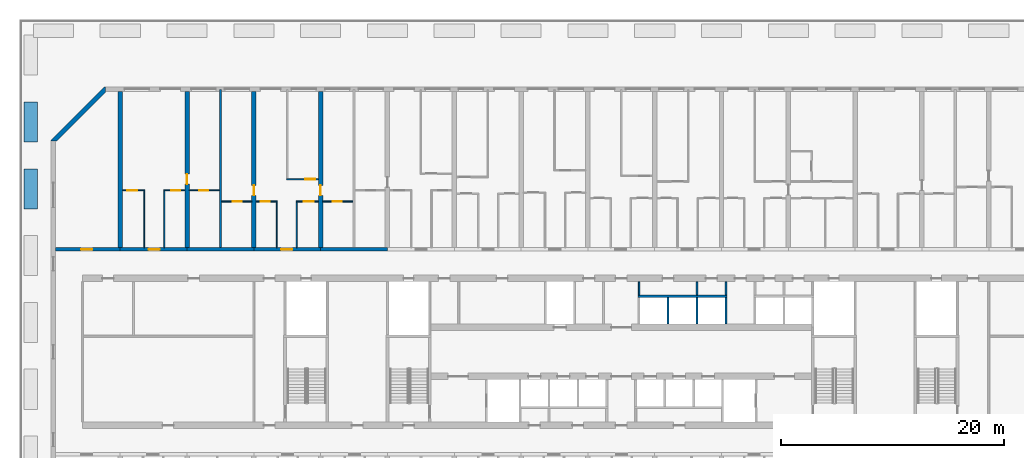
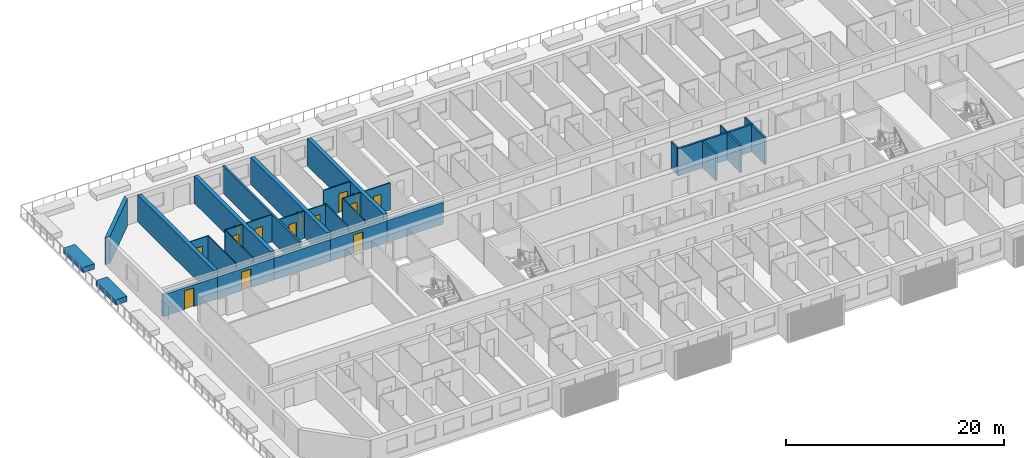
# One storey, part 11 of 23: 32 walls, 14 doors, 14 openings.
"""IFC4 building model written with IfcOpenShell, lengths in metres."""

import ifcopenshell
import ifcopenshell.guid

model = None  # the IFC model being written
_history = None  # IfcOwnerHistory: only IFC2X3 demands one
_inside = {}  # id of a spatial element -> (the spatial element, [elements in it])
_under = {}  # id of a project, library or spatial element -> (it, [spatial elements below it])
_declared = {}  # id of a project -> (the project, [libraries it declares])
_typed = {}  # id of a type object -> (the type object, [elements of that type])
_made_of = {}  # id of a material, layer set ... -> (it, [elements and type objects made of it])


def new_model(schema):
    """Start an empty IFC model of exactly this schema.

    Asked for "IFC4X3", IfcOpenShell would pick the latest addendum, in which some entities
    have other attributes; the version numbers below select the first issue.
    IFC2X3 requires an IfcOwnerHistory on every rooted entity: one is made here for all.
    """
    global model, _history
    if schema == "IFC4X3":
        model = ifcopenshell.file(schema_version=(4, 3, 0, 0))
    else:
        model = ifcopenshell.file(schema=schema)
    _inside.clear()
    _under.clear()
    _declared.clear()
    _typed.clear()
    _made_of.clear()
    _history = None
    if model.schema == "IFC2X3":
        org = make("IfcOrganization", Name="unknown")
        user = make(
            "IfcPersonAndOrganization",
            ThePerson=make("IfcPerson", FamilyName="unknown"),
            TheOrganization=org,
        )
        app = make(
            "IfcApplication",
            ApplicationDeveloper=org,
            Version="unknown",
            ApplicationFullName="unknown",
            ApplicationIdentifier="unknown",
        )
        _history = make(
            "IfcOwnerHistory",
            OwningUser=user,
            OwningApplication=app,
            ChangeAction="ADDED",
            CreationDate=0,
        )
    return model


def make(cls, **values):
    """One entity of the class cls with the attributes given. An attribute that is None is left unset."""
    return model.create_entity(
        cls, **{name: value for name, value in values.items() if value is not None}
    )


def rooted(cls, **values):
    """An entity with a GlobalId (a new one), such as an element, a storey or a relation."""
    return make(cls, GlobalId=ifcopenshell.guid.new(), OwnerHistory=_history, **values)


def si_unit(unit_type, name, prefix=None):
    """IfcSIUnit, for example si_unit("LENGTHUNIT", "METRE", prefix="MILLI")."""
    return make("IfcSIUnit", UnitType=unit_type, Prefix=prefix, Name=name)


def assignment(units):
    """IfcUnitAssignment: the units of a project."""
    return None if units is None else make("IfcUnitAssignment", Units=units)


def point(xyz):
    """IfcCartesianPoint."""
    return None if xyz is None else make("IfcCartesianPoint", Coordinates=xyz)


def direction(xyz):
    """IfcDirection."""
    return None if xyz is None else make("IfcDirection", DirectionRatios=xyz)


def frame(location, z_axis=None, x_axis=None):
    """IfcAxis2Placement3D, a coordinate frame: its origin and axes. An axis left out is left unset."""
    return make(
        "IfcAxis2Placement3D",
        Location=point(location),
        Axis=direction(z_axis),
        RefDirection=direction(x_axis),
    )


def frame_2d(location, x_axis=None):
    """IfcAxis2Placement2D, a coordinate frame in the plane: its origin and x axis."""
    return make(
        "IfcAxis2Placement2D", Location=point(location), RefDirection=direction(x_axis)
    )


def origin():
    """The frame at (0, 0, 0) with its axes left unset."""
    return frame((0.0, 0.0, 0.0))


def place(relative_to, where):
    """IfcLocalPlacement: puts the frame where relative to a parent placement (None: the world)."""
    return make(
        "IfcLocalPlacement", PlacementRelTo=relative_to, RelativePlacement=where
    )


def context(
    kind, dimensions, precision=None, world=None, true_north=None, identifier=None
):
    """IfcGeometricRepresentationContext, for example the 3D "Model" context."""
    return make(
        "IfcGeometricRepresentationContext",
        ContextIdentifier=identifier,
        ContextType=kind,
        CoordinateSpaceDimension=dimensions,
        Precision=precision,
        WorldCoordinateSystem=world,
        TrueNorth=true_north,
    )


def subcontext(parent, identifier, kind, view, scale=None):
    """IfcGeometricRepresentationSubContext, for example "Body" below "Model"."""
    return make(
        "IfcGeometricRepresentationSubContext",
        ContextIdentifier=identifier,
        ContextType=kind,
        ParentContext=parent,
        TargetScale=scale,
        TargetView=view,
    )


def project(units=None, contexts=None):
    """IfcProject with its units and contexts."""
    return rooted(
        "IfcProject",
        Name="project",
        RepresentationContexts=contexts,
        UnitsInContext=assignment(units),
    )


def spatial(cls, under=None, at=None, **own):
    """A site, building, storey or space (cls), placed at a placement, below another one or the project."""
    s = rooted(cls, ObjectPlacement=at, **own)
    if under is not None:
        _under.setdefault(under.id(), (under, []))[1].append(s)
    return s


def polyline(points):
    """IfcPolyline through the points."""
    return make("IfcPolyline", Points=[point(p) for p in points])


def profile(cls, at=None, kind="AREA", **sizes):
    """A parametric profile (cls). Its sizes go by their IFC names, for example OverallWidth=200.0."""
    return make(cls, ProfileType=kind, Position=at, **sizes)


def rectangle(**sizes):
    """IfcRectangleProfileDef."""
    return profile("IfcRectangleProfileDef", **sizes)


def outline(outer, holes=None, kind="AREA"):
    """IfcArbitraryClosedProfileDef: a profile drawn as a closed curve; with holes, ...WithVoids."""
    if holes is None:
        return make("IfcArbitraryClosedProfileDef", ProfileType=kind, OuterCurve=outer)
    return make(
        "IfcArbitraryProfileDefWithVoids",
        ProfileType=kind,
        OuterCurve=outer,
        InnerCurves=holes,
    )


def extrude(swept, where, along, depth):
    """IfcExtrudedAreaSolid: the profile swept, set in the frame where, extruded along a direction by depth."""
    return make(
        "IfcExtrudedAreaSolid",
        SweptArea=swept,
        Position=where,
        ExtrudedDirection=direction(along),
        Depth=depth,
    )


def shape(context_of_items, identifier, shape_type, items):
    """IfcShapeRepresentation: the items that make up one representation, for example the "Body"."""
    return make(
        "IfcShapeRepresentation",
        ContextOfItems=context_of_items,
        RepresentationIdentifier=identifier,
        RepresentationType=shape_type,
        Items=items,
    )


def source(mapping_origin, context_of_items, identifier, shape_type, items):
    """IfcRepresentationMap: a shape defined once, which mapped items show again and again."""
    return make(
        "IfcRepresentationMap",
        MappingOrigin=mapping_origin,
        MappedRepresentation=shape(context_of_items, identifier, shape_type, items),
    )


def transform(
    local_origin,
    x_axis=None,
    y_axis=None,
    z_axis=None,
    scale=None,
    scale2=None,
    scale3=None,
    uniform=True,
):
    """IfcCartesianTransformationOperator3D, or its non-uniform kind. x_axis, y_axis, z_axis: its Axis1, 2, 3."""
    if uniform:
        return make(
            "IfcCartesianTransformationOperator3D",
            Axis1=direction(x_axis),
            Axis2=direction(y_axis),
            LocalOrigin=point(local_origin),
            Scale=scale,
            Axis3=direction(z_axis),
        )
    return make(
        "IfcCartesianTransformationOperator3DnonUniform",
        Axis1=direction(x_axis),
        Axis2=direction(y_axis),
        LocalOrigin=point(local_origin),
        Scale=scale,
        Axis3=direction(z_axis),
        Scale2=scale2,
        Scale3=scale3,
    )


def mapped(mapping_source, mapping_target):
    """IfcMappedItem: shows the shape of a source again, moved by a transform."""
    return make(
        "IfcMappedItem", MappingSource=mapping_source, MappingTarget=mapping_target
    )


def material(Name=None, Category=None):
    """IfcMaterial."""
    return make("IfcMaterial", Name=Name, Category=Category)


def layer(
    of_material, thickness, ventilated=None, Name=None, Category=None, Priority=None
):
    """IfcMaterialLayer: one layer of a wall or slab, of a material (None: an air gap)."""
    return make(
        "IfcMaterialLayer",
        Material=of_material,
        LayerThickness=thickness,
        IsVentilated=ventilated,
        Name=Name,
        Category=Category,
        Priority=Priority,
    )


def layer_set(layers, Name=None):
    """IfcMaterialLayerSet."""
    return make("IfcMaterialLayerSet", MaterialLayers=layers, LayerSetName=Name)


def made_of(thing, what):
    """Note that an element or type object is made of a material, layer set ...; save() writes the relation."""
    if what is not None:
        _made_of.setdefault(what.id(), (what, []))[1].append(thing)
    return thing


def type_object(cls, material=None, **own):
    """A type object (cls), such as IfcWallType, which elements share."""
    return made_of(rooted(cls, **own), material)


def element(
    cls,
    number,
    at=None,
    inside=None,
    cuts=None,
    type_object=None,
    material=None,
    context=None,
    identifier="Body",
    shape_type=None,
    held_by="IfcProductDefinitionShape",
    body=None,
    shapes=None,
    **own,
):
    """One element of the class cls, such as IfcWall. Its Tag is "e" and its number.

    at: its placement. inside: the storey or other place that contains it. cuts: it is an
    opening in that element (IfcRelVoidsElement). A single representation is given by context,
    identifier, shape_type and body (its items); several are given by shapes. held_by: the class
    of the entity that holds the representations. save() writes the other relations.
    """
    e = rooted(cls, Tag="e%d" % number, ObjectPlacement=at, **own)
    if body is not None:
        shapes = [shape(context, identifier, shape_type, body)]
    if shapes is not None:
        e.Representation = make(held_by, Representations=shapes)
    if inside is not None:
        _inside.setdefault(inside.id(), (inside, []))[1].append(e)
    if cuts is not None:
        rooted(
            "IfcRelVoidsElement", RelatingBuildingElement=cuts, RelatedOpeningElement=e
        )
    if type_object is not None:
        _typed.setdefault(type_object.id(), (type_object, []))[1].append(e)
    return made_of(e, material)


def fill(opening, filler):
    """IfcRelFillsElement: the door or window that sits in an opening."""
    return rooted(
        "IfcRelFillsElement",
        RelatingOpeningElement=opening,
        RelatedBuildingElement=filler,
    )


def aggregate(whole, parts):
    """IfcRelAggregates: a whole, such as a stair, and the parts it consists of."""
    return rooted("IfcRelAggregates", RelatingObject=whole, RelatedObjects=parts)


def save(model, path):
    """Write the relations noted so far, then the file.

    IfcRelAggregates (storeys below a building ...), IfcRelContainedInSpatialStructure (elements
    in a storey), IfcRelDefinesByType, IfcRelAssociatesMaterial and IfcRelDeclares: one each for
    every whole, place, type object, material and project.
    """
    for whole, parts in _under.values():
        aggregate(whole, parts)
    for where, things in _inside.values():
        rooted(
            "IfcRelContainedInSpatialStructure",
            RelatedElements=things,
            RelatingStructure=where,
        )
    for kind, things in _typed.values():
        rooted("IfcRelDefinesByType", RelatedObjects=things, RelatingType=kind)
    for what, things in _made_of.values():
        rooted("IfcRelAssociatesMaterial", RelatedObjects=things, RelatingMaterial=what)
    for by, libraries in _declared.values():
        rooted("IfcRelDeclares", RelatingContext=by, RelatedDefinitions=libraries)
    model.write(path)


model = new_model("IFC4")

# Units and contexts
model_context = context("Model", 3, precision=1e-05, world=origin(), true_north=direction((0.0, 1.0)))
body_context = subcontext(model_context, "Body", "Model", "MODEL_VIEW")
ifc_project = project(units=[si_unit("LENGTHUNIT", "METRE"), si_unit("AREAUNIT", "SQUARE_METRE"), si_unit("VOLUMEUNIT", "CUBIC_METRE"), si_unit("PLANEANGLEUNIT", "RADIAN"), si_unit("MASSUNIT", "GRAM", prefix="KILO")], contexts=[model_context])

# Site, building, storey
site_placement = place(None, origin())
site = spatial("IfcSite", under=ifc_project, at=site_placement, CompositionType="ELEMENT")
building_placement = place(site_placement, origin())
building = spatial("IfcBuilding", under=site, at=building_placement, Name="Poui Terraces", CompositionType="ELEMENT")
storey_placement = place(building_placement, frame((0.0, 0.0, 23.39990234375)))
storey = spatial("IfcBuildingStorey", under=building, at=storey_placement, Name="L05", CompositionType="ELEMENT", Elevation=23.39990234375)

# Wall
ifc_material_1 = material(Name="Fire-rated plasterboard wall")
ifc_layer_1 = layer(ifc_material_1, 0.14990234375)
ifc_layer_set_1 = layer_set([ifc_layer_1], Name="Fire-rated plasterboard wall")
wall_type_1 = type_object("IfcWallType", Name="CORRIDOR WALL 150", PredefinedType="PARTITIONING", material=ifc_layer_set_1)
wall_1_placement = place(storey_placement, frame((52.60009765625, 26.300048828125, 0.0), z_axis=(0.0, 0.0, 1.0), x_axis=(0.0, 1.0, 0.0)))
element("IfcWall", 1, at=wall_1_placement, inside=storey, type_object=wall_type_1, Name="CORRIDOR WALL 150", PredefinedType="PARTITIONING", context=body_context, shape_type="SweptSolid", body=[
    extrude(rectangle(XDim=1.18994140625, YDim=0.14990234375, at=frame_2d((0.594970703125, 0.0))), origin(), (0.0, 0.0, 1.0), 3.050048828125),
])

# Wall, opening, door
ifc_material_2 = material(Name="Concrete 80 MPa", Category="concrete")
ifc_layer_2 = layer(ifc_material_2, 0.300048828125)
ifc_layer_set_2 = layer_set([ifc_layer_2], Name="Concrete 80 MPa")
wall_type_2 = type_object("IfcWallType", Name="CORRIDOR WALL 300 80MPa", PredefinedType="SHEAR", material=ifc_layer_set_2)
wall_2_placement = place(storey_placement, frame((0.199951171875, 30.39990234375, 0.0), z_axis=(0.0, 0.0, 1.0), x_axis=(1.0, 0.0, 0.0)))
wall_2 = element("IfcWall", 2, at=wall_2_placement, inside=storey, type_object=wall_type_2, Name="CORRIDOR WALL LINE E BAY 1", PredefinedType="SHEAR", context=body_context, shape_type="SweptSolid", body=[
    extrude(rectangle(XDim=5.800048828125, YDim=0.300048828125, at=frame_2d((2.89990234375, 0.0))), origin(), (0.0, 0.0, 1.0), 2.4501953125),
])
opening_1_placement = place(wall_2_placement, frame((2.300048828125, 0.0, 0.0)))
opening_1 = element("IfcOpeningElement", 3, at=opening_1_placement, cuts=wall_2, Name="Opening D100", PredefinedType="OPENING", context=body_context, shape_type="SweptSolid", body=[
    extrude(rectangle(XDim=1.0, YDim=2.10009765625, at=frame_2d((0.5, 1.050048828125))), frame((0.0, 0.16015625, 0.0), z_axis=(0.0, -1.0, 0.0), x_axis=(1.0, 0.0, 0.0)), (0.0, 0.0, 1.0), 0.320068359375),
])
ifc_material_3 = material(Name="Solid core timber door", Category="wood")
door_type_1 = type_object("IfcDoorType", Name="ACCESSIBLE INTERNAL DOOR 1000 X 2100", OperationType="NOTDEFINED", PredefinedType="DOOR", material=ifc_material_3)
door_1_placement = place(opening_1_placement, origin())
door_1 = element("IfcDoor", 4, at=door_1_placement, inside=storey, type_object=door_type_1, Name="ACCESSIBLE INTERNAL DOOR 032", OperationType="SINGLE_SWING_LEFT", OverallHeight=2.10009765625, OverallWidth=1.0, PredefinedType="DOOR", context=body_context, shape_type="SweptSolid", body=[
    extrude(rectangle(XDim=1.0, YDim=2.10009765625, at=frame_2d((0.5, 1.050048828125))), frame((0.0, 0.02490234375, 0.0), z_axis=(0.0, -1.0, 0.0), x_axis=(1.0, 0.0, 0.0)), (0.0, 0.0, 1.0), 0.050048828125),
])
fill(opening_1, door_1)

wall_3_placement = place(storey_placement, frame((6.0, 30.39990234375, 0.0), z_axis=(0.0, 0.0, 1.0), x_axis=(1.0, 0.0, 0.0)))
wall_3 = element("IfcWall", 5, at=wall_3_placement, inside=storey, type_object=wall_type_2, Name="CORRIDOR WALL LINE E BAY 2", PredefinedType="SHEAR", context=body_context, shape_type="SweptSolid", body=[
    extrude(rectangle(XDim=6.0, YDim=0.300048828125, at=frame_2d((3.0, 0.0))), origin(), (0.0, 0.0, 1.0), 2.4501953125),
])
opening_2_placement = place(wall_3_placement, frame((2.550048828125, 0.0, 0.0)))
opening_2 = element("IfcOpeningElement", 6, at=opening_2_placement, cuts=wall_3, Name="Opening FD30S", PredefinedType="OPENING", context=body_context, shape_type="SweptSolid", body=[
    extrude(rectangle(XDim=1.0, YDim=2.10009765625, at=frame_2d((0.5, 1.050048828125))), frame((0.0, 0.16015625, 0.0), z_axis=(0.0, -1.0, 0.0), x_axis=(1.0, 0.0, 0.0)), (0.0, 0.0, 1.0), 0.320068359375),
])
ifc_material_4 = material(Name="Steel fire door", Category="steel")
door_type_2 = type_object("IfcDoorType", Name="FLAT ENTRANCE DOOR 1000 X 2100", OperationType="NOTDEFINED", PredefinedType="DOOR", material=ifc_material_4)
door_2_placement = place(opening_2_placement, origin())
door_2 = element("IfcDoor", 7, at=door_2_placement, inside=storey, type_object=door_type_2, Name="FLAT ENTRANCE DOOR 035", OperationType="SINGLE_SWING_RIGHT", OverallHeight=2.10009765625, OverallWidth=1.0, PredefinedType="DOOR", context=body_context, shape_type="SweptSolid", body=[
    extrude(rectangle(XDim=1.0, YDim=2.10009765625, at=frame_2d((0.5, 1.050048828125))), frame((0.0, 0.02490234375, 0.0), z_axis=(0.0, -1.0, 0.0), x_axis=(1.0, 0.0, 0.0)), (0.0, 0.0, 1.0), 0.050048828125),
])
fill(opening_2, door_2)

# Wall
wall_4_placement = place(storey_placement, frame((12.0, 30.39990234375, 0.0), z_axis=(0.0, 0.0, 1.0), x_axis=(1.0, 0.0, 0.0)))
element("IfcWall", 8, at=wall_4_placement, inside=storey, type_object=wall_type_2, Name="CORRIDOR WALL LINE E BAY 3", PredefinedType="SHEAR", context=body_context, shape_type="SweptSolid", body=[
    extrude(rectangle(XDim=6.0, YDim=0.300048828125, at=frame_2d((3.0, 0.0))), origin(), (0.0, 0.0, 1.0), 2.4501953125),
])

# Wall, opening, door
wall_5_placement = place(storey_placement, frame((18.0, 30.39990234375, 0.0), z_axis=(0.0, 0.0, 1.0), x_axis=(1.0, 0.0, 0.0)))
wall_5 = element("IfcWall", 9, at=wall_5_placement, inside=storey, type_object=wall_type_2, Name="CORRIDOR WALL LINE E BAY 4", PredefinedType="SHEAR", context=body_context, shape_type="SweptSolid", body=[
    extrude(rectangle(XDim=6.0, YDim=0.300048828125, at=frame_2d((3.0, 0.0))), origin(), (0.0, 0.0, 1.0), 2.4501953125),
])
opening_3_placement = place(wall_5_placement, frame((2.449951171875, 0.0, 0.0)))
opening_3 = element("IfcOpeningElement", 10, at=opening_3_placement, cuts=wall_5, Name="Opening FD30S", PredefinedType="OPENING", context=body_context, shape_type="SweptSolid", body=[
    extrude(rectangle(XDim=1.0, YDim=2.10009765625, at=frame_2d((0.5, 1.050048828125))), frame((0.0, 0.16015625, 0.0), z_axis=(0.0, -1.0, 0.0), x_axis=(1.0, 0.0, 0.0)), (0.0, 0.0, 1.0), 0.320068359375),
])
door_3_placement = place(opening_3_placement, origin())
door_3 = element("IfcDoor", 11, at=door_3_placement, inside=storey, type_object=door_type_2, Name="FLAT ENTRANCE DOOR 042", OperationType="SINGLE_SWING_LEFT", OverallHeight=2.10009765625, OverallWidth=1.0, PredefinedType="DOOR", context=body_context, shape_type="SweptSolid", body=[
    extrude(rectangle(XDim=1.0, YDim=2.10009765625, at=frame_2d((0.5, 1.050048828125))), frame((0.0, 0.02490234375, 0.0), z_axis=(0.0, -1.0, 0.0), x_axis=(1.0, 0.0, 0.0)), (0.0, 0.0, 1.0), 0.050048828125),
])
fill(opening_3, door_3)

# Walls
wall_6_placement = place(storey_placement, frame((24.0, 30.39990234375, 0.0), z_axis=(0.0, 0.0, 1.0), x_axis=(1.0, 0.0, 0.0)))
element("IfcWall", 12, at=wall_6_placement, inside=storey, type_object=wall_type_2, Name="CORRIDOR WALL LINE E BAY 5", PredefinedType="SHEAR", context=body_context, shape_type="SweptSolid", body=[
    extrude(rectangle(XDim=6.0, YDim=0.300048828125, at=frame_2d((3.0, 0.0))), origin(), (0.0, 0.0, 1.0), 2.4501953125),
])
ifc_layer_3 = layer(ifc_material_2, 0.39990234375)
ifc_layer_set_3 = layer_set([ifc_layer_3], Name="Concrete 80 MPa")
wall_type_3 = type_object("IfcWallType", Name="CROSS WALL 400 80MPa", PredefinedType="SHEAR", material=ifc_layer_set_3)
wall_7_placement = place(storey_placement, frame((6.0, 30.550048828125, 0.0), z_axis=(0.0, 0.0, 1.0), x_axis=(0.0, 1.0, 0.0)))
element("IfcWall", 13, at=wall_7_placement, inside=storey, type_object=wall_type_3, Name="CROSS WALL LINE 2 NORTH", PredefinedType="SHEAR", context=body_context, shape_type="SweptSolid", body=[
    extrude(rectangle(XDim=14.050048828125, YDim=0.39990234375, at=frame_2d((7.02490234375, 0.0))), origin(), (0.0, 0.0, 1.0), 3.050048828125),
])

# Wall, opening, door
wall_8_placement = place(storey_placement, frame((12.0, 30.550048828125, 0.0), z_axis=(0.0, 0.0, 1.0), x_axis=(0.0, 1.0, 0.0)))
wall_8 = element("IfcWall", 14, at=wall_8_placement, inside=storey, type_object=wall_type_3, Name="CROSS WALL LINE 3 NORTH", PredefinedType="SHEAR", context=body_context, shape_type="SweptSolid", body=[
    extrude(rectangle(XDim=14.050048828125, YDim=0.39990234375, at=frame_2d((7.02490234375, 0.0))), origin(), (0.0, 0.0, 1.0), 3.050048828125),
])
opening_4_placement = place(wall_8_placement, frame((5.699951171875, 0.0, 0.0)))
opening_4 = element("IfcOpeningElement", 15, at=opening_4_placement, cuts=wall_8, Name="Opening D90", PredefinedType="OPENING", context=body_context, shape_type="SweptSolid", body=[
    extrude(rectangle(XDim=0.89990234375, YDim=2.10009765625, at=frame_2d((0.449951171875, 1.050048828125))), frame((0.0, 0.2099609375, 0.0), z_axis=(0.0, -1.0, 0.0), x_axis=(1.0, 0.0, 0.0)), (0.0, 0.0, 1.0), 0.419921875),
])
door_type_3 = type_object("IfcDoorType", Name="INTERNAL DOOR 900 X 2100", OperationType="NOTDEFINED", PredefinedType="DOOR", material=ifc_material_3)
door_4_placement = place(opening_4_placement, frame((0.89990234375, 0.0, 0.0), z_axis=(0.0, 0.0, 1.0), x_axis=(-1.0, 0.0, 0.0)))
door_4 = element("IfcDoor", 16, at=door_4_placement, inside=storey, type_object=door_type_3, Name="INTERNAL DOOR 037", OperationType="SINGLE_SWING_RIGHT", OverallHeight=2.10009765625, OverallWidth=0.89990234375, PredefinedType="DOOR", context=body_context, shape_type="SweptSolid", body=[
    extrude(rectangle(XDim=0.89990234375, YDim=2.10009765625, at=frame_2d((0.449951171875, 1.050048828125))), frame((0.0, 0.02490234375, 0.0), z_axis=(0.0, -1.0, 0.0), x_axis=(1.0, 0.0, 0.0)), (0.0, 0.0, 1.0), 0.050048828125),
])
fill(opening_4, door_4)

wall_9_placement = place(storey_placement, frame((18.0, 30.550048828125, 0.0), z_axis=(0.0, 0.0, 1.0), x_axis=(0.0, 1.0, 0.0)))
wall_9 = element("IfcWall", 17, at=wall_9_placement, inside=storey, type_object=wall_type_3, Name="CROSS WALL LINE 4 NORTH", PredefinedType="SHEAR", context=body_context, shape_type="SweptSolid", body=[
    extrude(rectangle(XDim=14.050048828125, YDim=0.39990234375, at=frame_2d((7.02490234375, 0.0))), origin(), (0.0, 0.0, 1.0), 3.050048828125),
])
opening_5_placement = place(wall_9_placement, frame((4.699951171875, 0.0, 0.0)))
opening_5 = element("IfcOpeningElement", 18, at=opening_5_placement, cuts=wall_9, Name="Opening D90", PredefinedType="OPENING", context=body_context, shape_type="SweptSolid", body=[
    extrude(rectangle(XDim=0.89990234375, YDim=2.10009765625, at=frame_2d((0.449951171875, 1.050048828125))), frame((0.0, 0.2099609375, 0.0), z_axis=(0.0, -1.0, 0.0), x_axis=(1.0, 0.0, 0.0)), (0.0, 0.0, 1.0), 0.419921875),
])
door_5_placement = place(opening_5_placement, origin())
door_5 = element("IfcDoor", 19, at=door_5_placement, inside=storey, type_object=door_type_3, Name="INTERNAL DOOR 040", OperationType="SINGLE_SWING_LEFT", OverallHeight=2.10009765625, OverallWidth=0.89990234375, PredefinedType="DOOR", context=body_context, shape_type="SweptSolid", body=[
    extrude(rectangle(XDim=0.89990234375, YDim=2.10009765625, at=frame_2d((0.449951171875, 1.050048828125))), frame((0.0, 0.02490234375, 0.0), z_axis=(0.0, -1.0, 0.0), x_axis=(1.0, 0.0, 0.0)), (0.0, 0.0, 1.0), 0.050048828125),
])
fill(opening_5, door_5)

wall_10_placement = place(storey_placement, frame((24.0, 30.550048828125, 0.0), z_axis=(0.0, 0.0, 1.0), x_axis=(0.0, 1.0, 0.0)))
wall_10 = element("IfcWall", 20, at=wall_10_placement, inside=storey, type_object=wall_type_3, Name="CROSS WALL LINE 5 NORTH", PredefinedType="SHEAR", context=body_context, shape_type="SweptSolid", body=[
    extrude(rectangle(XDim=14.050048828125, YDim=0.39990234375, at=frame_2d((7.02490234375, 0.0))), origin(), (0.0, 0.0, 1.0), 3.050048828125),
])
opening_6_placement = place(wall_10_placement, frame((4.699951171875, 0.0, 0.0)))
opening_6 = element("IfcOpeningElement", 21, at=opening_6_placement, cuts=wall_10, Name="Opening D90", PredefinedType="OPENING", context=body_context, shape_type="SweptSolid", body=[
    extrude(rectangle(XDim=0.89990234375, YDim=2.10009765625, at=frame_2d((0.449951171875, 1.050048828125))), frame((0.0, 0.2099609375, 0.0), z_axis=(0.0, -1.0, 0.0), x_axis=(1.0, 0.0, 0.0)), (0.0, 0.0, 1.0), 0.419921875),
])
door_6_placement = place(opening_6_placement, frame((0.89990234375, 0.0, 0.0), z_axis=(0.0, 0.0, 1.0), x_axis=(-1.0, 0.0, 0.0)))
door_6 = element("IfcDoor", 22, at=door_6_placement, inside=storey, type_object=door_type_3, Name="INTERNAL DOOR 045", OperationType="SINGLE_SWING_RIGHT", OverallHeight=2.10009765625, OverallWidth=0.89990234375, PredefinedType="DOOR", context=body_context, shape_type="SweptSolid", body=[
    extrude(rectangle(XDim=0.89990234375, YDim=2.10009765625, at=frame_2d((0.449951171875, 1.050048828125))), frame((0.0, 0.02490234375, 0.0), z_axis=(0.0, -1.0, 0.0), x_axis=(1.0, 0.0, 0.0)), (0.0, 0.0, 1.0), 0.050048828125),
])
fill(opening_6, door_6)

ifc_material_5 = material(Name="Plasterboard partition")
ifc_layer_4 = layer(ifc_material_5, 0.10009765625)
ifc_layer_set_4 = layer_set([ifc_layer_4], Name="Plasterboard partition")
wall_type_4 = type_object("IfcWallType", Name="FLAT PARTITION 100", PredefinedType="PARTITIONING", material=ifc_layer_set_4)
wall_11_placement = place(storey_placement, frame((15.10009765625, 34.699951171875, 0.0), z_axis=(0.0, 0.0, 1.0), x_axis=(1.0, 0.0, 0.0)))
wall_11 = element("IfcWall", 23, at=wall_11_placement, inside=storey, type_object=wall_type_4, Name="FLAT PARTITION 100", PredefinedType="PARTITIONING", context=body_context, shape_type="SweptSolid", body=[
    extrude(rectangle(XDim=2.68994140625, YDim=0.10009765625, at=frame_2d((1.344970703125, 0.0))), origin(), (0.0, 0.0, 1.0), 3.050048828125),
])
opening_7_placement = place(wall_11_placement, frame((1.0, 0.0, 0.0)))
opening_7 = element("IfcOpeningElement", 24, at=opening_7_placement, cuts=wall_11, Name="Opening D80", PredefinedType="OPENING", context=body_context, shape_type="SweptSolid", body=[
    extrude(rectangle(XDim=0.800048828125, YDim=2.10009765625, at=frame_2d((0.39990234375, 1.050048828125))), frame((0.0, 0.06005859375, 0.0), z_axis=(0.0, -1.0, 0.0), x_axis=(1.0, 0.0, 0.0)), (0.0, 0.0, 1.0), 0.1201171875),
])
door_type_4 = type_object("IfcDoorType", Name="BATHROOM, LAUNDRY AND STORE DOOR 800 X 2100", OperationType="NOTDEFINED", PredefinedType="DOOR", material=ifc_material_3)
door_7_placement = place(opening_7_placement, frame((0.800048828125, 0.0, 0.0), z_axis=(0.0, 0.0, 1.0), x_axis=(-1.0, 0.0, 0.0)))
door_7 = element("IfcDoor", 25, at=door_7_placement, inside=storey, type_object=door_type_4, Name="BATHROOM, LAUNDRY AND STORE DOOR 038", OperationType="SINGLE_SWING_RIGHT", OverallHeight=2.10009765625, OverallWidth=0.800048828125, PredefinedType="DOOR", context=body_context, shape_type="SweptSolid", body=[
    extrude(rectangle(XDim=0.800048828125, YDim=2.10009765625, at=frame_2d((0.39990234375, 1.050048828125))), frame((0.0, 0.02490234375, 0.0), z_axis=(0.0, -1.0, 0.0), x_axis=(1.0, 0.0, 0.0)), (0.0, 0.0, 1.0), 0.050048828125),
])
fill(opening_7, door_7)

wall_12_placement = place(storey_placement, frame((18.2099609375, 34.699951171875, 0.0), z_axis=(0.0, 0.0, 1.0), x_axis=(1.0, 0.0, 0.0)))
wall_12 = element("IfcWall", 26, at=wall_12_placement, inside=storey, type_object=wall_type_4, Name="FLAT PARTITION 100", PredefinedType="PARTITIONING", context=body_context, shape_type="SweptSolid", body=[
    extrude(rectangle(XDim=1.89013671875, YDim=0.10009765625, at=frame_2d((0.945068359375, 0.0))), origin(), (0.0, 0.0, 1.0), 3.050048828125),
])
opening_8_placement = place(wall_12_placement, frame((0.4150390625, 0.0, 0.0)))
opening_8 = element("IfcOpeningElement", 27, at=opening_8_placement, cuts=wall_12, Name="Opening D80", PredefinedType="OPENING", context=body_context, shape_type="SweptSolid", body=[
    extrude(rectangle(XDim=0.800048828125, YDim=2.10009765625, at=frame_2d((0.39990234375, 1.050048828125))), frame((0.0, 0.06005859375, 0.0), z_axis=(0.0, -1.0, 0.0), x_axis=(1.0, 0.0, 0.0)), (0.0, 0.0, 1.0), 0.1201171875),
])
door_8_placement = place(opening_8_placement, frame((0.800048828125, 0.0, 0.0), z_axis=(0.0, 0.0, 1.0), x_axis=(-1.0, 0.0, 0.0)))
door_8 = element("IfcDoor", 28, at=door_8_placement, inside=storey, type_object=door_type_4, Name="BATHROOM, LAUNDRY AND STORE DOOR 041", OperationType="SINGLE_SWING_RIGHT", OverallHeight=2.10009765625, OverallWidth=0.800048828125, PredefinedType="DOOR", context=body_context, shape_type="SweptSolid", body=[
    extrude(rectangle(XDim=0.800048828125, YDim=2.10009765625, at=frame_2d((0.39990234375, 1.050048828125))), frame((0.0, 0.02490234375, 0.0), z_axis=(0.0, -1.0, 0.0), x_axis=(1.0, 0.0, 0.0)), (0.0, 0.0, 1.0), 0.050048828125),
])
fill(opening_8, door_8)

wall_13_placement = place(storey_placement, frame((21.800048828125, 34.699951171875, 0.0), z_axis=(0.0, 0.0, 1.0), x_axis=(1.0, 0.0, 0.0)))
wall_13 = element("IfcWall", 29, at=wall_13_placement, inside=storey, type_object=wall_type_4, Name="FLAT PARTITION 100", PredefinedType="PARTITIONING", context=body_context, shape_type="SweptSolid", body=[
    extrude(rectangle(XDim=1.989990234375, YDim=0.10009765625, at=frame_2d((0.9951171875, 0.0))), origin(), (0.0, 0.0, 1.0), 3.050048828125),
])
opening_9_placement = place(wall_13_placement, frame((0.675048828125, 0.0, 0.0)))
opening_9 = element("IfcOpeningElement", 30, at=opening_9_placement, cuts=wall_13, Name="Opening D90", PredefinedType="OPENING", context=body_context, shape_type="SweptSolid", body=[
    extrude(rectangle(XDim=0.89990234375, YDim=2.10009765625, at=frame_2d((0.449951171875, 1.050048828125))), frame((0.0, 0.06005859375, 0.0), z_axis=(0.0, -1.0, 0.0), x_axis=(1.0, 0.0, 0.0)), (0.0, 0.0, 1.0), 0.1201171875),
])
door_9_placement = place(opening_9_placement, frame((0.89990234375, 0.0, 0.0), z_axis=(0.0, 0.0, 1.0), x_axis=(-1.0, 0.0, 0.0)))
door_9 = element("IfcDoor", 31, at=door_9_placement, inside=storey, type_object=door_type_3, Name="INTERNAL DOOR 043", OperationType="SINGLE_SWING_LEFT", OverallHeight=2.10009765625, OverallWidth=0.89990234375, PredefinedType="DOOR", context=body_context, shape_type="SweptSolid", body=[
    extrude(rectangle(XDim=0.89990234375, YDim=2.10009765625, at=frame_2d((0.449951171875, 1.050048828125))), frame((0.0, 0.02490234375, 0.0), z_axis=(0.0, -1.0, 0.0), x_axis=(1.0, 0.0, 0.0)), (0.0, 0.0, 1.0), 0.050048828125),
])
fill(opening_9, door_9)

wall_14_placement = place(storey_placement, frame((24.2099609375, 34.699951171875, 0.0), z_axis=(0.0, 0.0, 1.0), x_axis=(1.0, 0.0, 0.0)))
wall_14 = element("IfcWall", 32, at=wall_14_placement, inside=storey, type_object=wall_type_4, Name="FLAT PARTITION 100", PredefinedType="PARTITIONING", context=body_context, shape_type="SweptSolid", body=[
    extrude(rectangle(XDim=2.68994140625, YDim=0.10009765625, at=frame_2d((1.344970703125, 0.0))), origin(), (0.0, 0.0, 1.0), 3.050048828125),
])
opening_10_placement = place(wall_14_placement, frame((0.889892578125, 0.0, 0.0)))
opening_10 = element("IfcOpeningElement", 33, at=opening_10_placement, cuts=wall_14, Name="Opening D80", PredefinedType="OPENING", context=body_context, shape_type="SweptSolid", body=[
    extrude(rectangle(XDim=0.800048828125, YDim=2.10009765625, at=frame_2d((0.39990234375, 1.050048828125))), frame((0.0, 0.06005859375, 0.0), z_axis=(0.0, -1.0, 0.0), x_axis=(1.0, 0.0, 0.0)), (0.0, 0.0, 1.0), 0.1201171875),
])
door_10_placement = place(opening_10_placement, frame((0.800048828125, 0.0, 0.0), z_axis=(0.0, 0.0, 1.0), x_axis=(-1.0, 0.0, 0.0)))
door_10 = element("IfcDoor", 34, at=door_10_placement, inside=storey, type_object=door_type_4, Name="BATHROOM, LAUNDRY AND STORE DOOR 039", OperationType="SINGLE_SWING_RIGHT", OverallHeight=2.10009765625, OverallWidth=0.800048828125, PredefinedType="DOOR", context=body_context, shape_type="SweptSolid", body=[
    extrude(rectangle(XDim=0.800048828125, YDim=2.10009765625, at=frame_2d((0.39990234375, 1.050048828125))), frame((0.0, 0.02490234375, 0.0), z_axis=(0.0, -1.0, 0.0), x_axis=(1.0, 0.0, 0.0)), (0.0, 0.0, 1.0), 0.050048828125),
])
fill(opening_10, door_10)

wall_15_placement = place(storey_placement, frame((6.2099609375, 35.699951171875, 0.0), z_axis=(0.0, 0.0, 1.0), x_axis=(1.0, 0.0, 0.0)))
wall_15 = element("IfcWall", 35, at=wall_15_placement, inside=storey, type_object=wall_type_4, Name="FLAT PARTITION 100", PredefinedType="PARTITIONING", context=body_context, shape_type="SweptSolid", body=[
    extrude(rectangle(XDim=1.989990234375, YDim=0.10009765625, at=frame_2d((0.9951171875, 0.0))), origin(), (0.0, 0.0, 1.0), 3.050048828125),
])
opening_11_placement = place(wall_15_placement, frame((0.4150390625, 0.0, 0.0)))
opening_11 = element("IfcOpeningElement", 36, at=opening_11_placement, cuts=wall_15, Name="Opening D90", PredefinedType="OPENING", context=body_context, shape_type="SweptSolid", body=[
    extrude(rectangle(XDim=0.89990234375, YDim=2.10009765625, at=frame_2d((0.449951171875, 1.050048828125))), frame((0.0, 0.06005859375, 0.0), z_axis=(0.0, -1.0, 0.0), x_axis=(1.0, 0.0, 0.0)), (0.0, 0.0, 1.0), 0.1201171875),
])
door_11_placement = place(opening_11_placement, frame((0.89990234375, 0.0, 0.0), z_axis=(0.0, 0.0, 1.0), x_axis=(-1.0, 0.0, 0.0)))
door_11 = element("IfcDoor", 37, at=door_11_placement, inside=storey, type_object=door_type_3, Name="INTERNAL DOOR 034", OperationType="SINGLE_SWING_RIGHT", OverallHeight=2.10009765625, OverallWidth=0.89990234375, PredefinedType="DOOR", context=body_context, shape_type="SweptSolid", body=[
    extrude(rectangle(XDim=0.89990234375, YDim=2.10009765625, at=frame_2d((0.449951171875, 1.050048828125))), frame((0.0, 0.02490234375, 0.0), z_axis=(0.0, -1.0, 0.0), x_axis=(1.0, 0.0, 0.0)), (0.0, 0.0, 1.0), 0.050048828125),
])
fill(opening_11, door_11)

wall_16_placement = place(storey_placement, frame((9.89990234375, 35.699951171875, 0.0), z_axis=(0.0, 0.0, 1.0), x_axis=(1.0, 0.0, 0.0)))
wall_16 = element("IfcWall", 38, at=wall_16_placement, inside=storey, type_object=wall_type_4, Name="FLAT PARTITION 100", PredefinedType="PARTITIONING", context=body_context, shape_type="SweptSolid", body=[
    extrude(rectangle(XDim=1.89013671875, YDim=0.10009765625, at=frame_2d((0.945068359375, 0.0))), origin(), (0.0, 0.0, 1.0), 3.050048828125),
])
opening_12_placement = place(wall_16_placement, frame((0.675048828125, 0.0, 0.0)))
opening_12 = element("IfcOpeningElement", 39, at=opening_12_placement, cuts=wall_16, Name="Opening D80", PredefinedType="OPENING", context=body_context, shape_type="SweptSolid", body=[
    extrude(rectangle(XDim=0.800048828125, YDim=2.10009765625, at=frame_2d((0.39990234375, 1.050048828125))), frame((0.0, 0.06005859375, 0.0), z_axis=(0.0, -1.0, 0.0), x_axis=(1.0, 0.0, 0.0)), (0.0, 0.0, 1.0), 0.1201171875),
])
door_12_placement = place(opening_12_placement, frame((0.800048828125, 0.0, 0.0), z_axis=(0.0, 0.0, 1.0), x_axis=(-1.0, 0.0, 0.0)))
door_12 = element("IfcDoor", 40, at=door_12_placement, inside=storey, type_object=door_type_4, Name="BATHROOM, LAUNDRY AND STORE DOOR 036", OperationType="SINGLE_SWING_LEFT", OverallHeight=2.10009765625, OverallWidth=0.800048828125, PredefinedType="DOOR", context=body_context, shape_type="SweptSolid", body=[
    extrude(rectangle(XDim=0.800048828125, YDim=2.10009765625, at=frame_2d((0.39990234375, 1.050048828125))), frame((0.0, 0.02490234375, 0.0), z_axis=(0.0, -1.0, 0.0), x_axis=(1.0, 0.0, 0.0)), (0.0, 0.0, 1.0), 0.050048828125),
])
fill(opening_12, door_12)

wall_17_placement = place(storey_placement, frame((12.2099609375, 35.699951171875, 0.0), z_axis=(0.0, 0.0, 1.0), x_axis=(1.0, 0.0, 0.0)))
wall_17 = element("IfcWall", 41, at=wall_17_placement, inside=storey, type_object=wall_type_4, Name="FLAT PARTITION 100", PredefinedType="PARTITIONING", context=body_context, shape_type="SweptSolid", body=[
    extrude(rectangle(XDim=2.68994140625, YDim=0.10009765625, at=frame_2d((1.344970703125, 0.0))), origin(), (0.0, 0.0, 1.0), 3.050048828125),
])
opening_13_placement = place(wall_17_placement, frame((0.889892578125, 0.0, 0.0)))
opening_13 = element("IfcOpeningElement", 42, at=opening_13_placement, cuts=wall_17, Name="Opening D80", PredefinedType="OPENING", context=body_context, shape_type="SweptSolid", body=[
    extrude(rectangle(XDim=0.800048828125, YDim=2.10009765625, at=frame_2d((0.39990234375, 1.050048828125))), frame((0.0, 0.06005859375, 0.0), z_axis=(0.0, -1.0, 0.0), x_axis=(1.0, 0.0, 0.0)), (0.0, 0.0, 1.0), 0.1201171875),
])
door_13_placement = place(opening_13_placement, frame((0.800048828125, 0.0, 0.0), z_axis=(0.0, 0.0, 1.0), x_axis=(-1.0, 0.0, 0.0)))
door_13 = element("IfcDoor", 43, at=door_13_placement, inside=storey, type_object=door_type_4, Name="BATHROOM, LAUNDRY AND STORE DOOR 033", OperationType="SINGLE_SWING_LEFT", OverallHeight=2.10009765625, OverallWidth=0.800048828125, PredefinedType="DOOR", context=body_context, shape_type="SweptSolid", body=[
    extrude(rectangle(XDim=0.800048828125, YDim=2.10009765625, at=frame_2d((0.39990234375, 1.050048828125))), frame((0.0, 0.02490234375, 0.0), z_axis=(0.0, -1.0, 0.0), x_axis=(1.0, 0.0, 0.0)), (0.0, 0.0, 1.0), 0.050048828125),
])
fill(opening_13, door_13)

wall_18_placement = place(storey_placement, frame((20.949951171875, 36.699951171875, 0.0), z_axis=(0.0, 0.0, 1.0), x_axis=(1.0, 0.0, 0.0)))
wall_18 = element("IfcWall", 44, at=wall_18_placement, inside=storey, type_object=wall_type_4, Name="FLAT PARTITION 100", PredefinedType="PARTITIONING", context=body_context, shape_type="SweptSolid", body=[
    extrude(rectangle(XDim=2.840087890625, YDim=0.10009765625, at=frame_2d((1.419921875, 0.0))), origin(), (0.0, 0.0, 1.0), 3.050048828125),
])
opening_14_placement = place(wall_18_placement, frame((1.64990234375, 0.0, 0.0)))
opening_14 = element("IfcOpeningElement", 45, at=opening_14_placement, cuts=wall_18, Name="Opening D90", PredefinedType="OPENING", context=body_context, shape_type="SweptSolid", body=[
    extrude(rectangle(XDim=0.89990234375, YDim=2.10009765625, at=frame_2d((0.449951171875, 1.050048828125))), frame((0.0, 0.06005859375, 0.0), z_axis=(0.0, -1.0, 0.0), x_axis=(1.0, 0.0, 0.0)), (0.0, 0.0, 1.0), 0.1201171875),
])
door_14_placement = place(opening_14_placement, frame((0.89990234375, 0.0, 0.0), z_axis=(0.0, 0.0, 1.0), x_axis=(-1.0, 0.0, 0.0)))
door_14 = element("IfcDoor", 46, at=door_14_placement, inside=storey, type_object=door_type_3, Name="INTERNAL DOOR 044", OperationType="SINGLE_SWING_RIGHT", OverallHeight=2.10009765625, OverallWidth=0.89990234375, PredefinedType="DOOR", context=body_context, shape_type="SweptSolid", body=[
    extrude(rectangle(XDim=0.89990234375, YDim=2.10009765625, at=frame_2d((0.449951171875, 1.050048828125))), frame((0.0, 0.02490234375, 0.0), z_axis=(0.0, -1.0, 0.0), x_axis=(1.0, 0.0, 0.0)), (0.0, 0.0, 1.0), 0.050048828125),
])
fill(opening_14, door_14)

# Walls
for number, where, z_axis, x_axis, name in (
    (47, (8.14990234375, 30.56005859375, 0.0), (0.0, 0.0, 1.0), (0.0, 1.0, 0.0), "FLAT PARTITION 100"),
    (48, (9.949951171875, 30.56005859375, 0.0), (0.0, 0.0, 1.0), (0.0, 1.0, 0.0), "FLAT PARTITION 100"),
):
    element("IfcWall", number, at=place(storey_placement, frame(where, z_axis=z_axis, x_axis=x_axis)), inside=storey, type_object=wall_type_4, Name=name, PredefinedType="PARTITIONING", context=body_context, shape_type="SweptSolid", body=[
        extrude(rectangle(XDim=5.08984375, YDim=0.10009765625, at=frame_2d((2.544921875, 0.0))), origin(), (0.0, 0.0, 1.0), 3.050048828125),
    ])
for number, where, z_axis, x_axis, name in (
    (49, (20.050048828125, 30.56005859375, 0.0), (0.0, 0.0, 1.0), (0.0, 1.0, 0.0), "FLAT PARTITION 100"),
    (50, (21.85009765625, 30.56005859375, 0.0), (0.0, 0.0, 1.0), (0.0, 1.0, 0.0), "FLAT PARTITION 100"),
):
    element("IfcWall", number, at=place(storey_placement, frame(where, z_axis=z_axis, x_axis=x_axis)), inside=storey, type_object=wall_type_4, Name=name, PredefinedType="PARTITIONING", context=body_context, shape_type="SweptSolid", body=[
        extrude(rectangle(XDim=4.08984375, YDim=0.10009765625, at=frame_2d((2.044921875, 0.0))), origin(), (0.0, 0.0, 1.0), 3.050048828125),
    ])
ifc_material_6 = material(Name="Fire-rated masonry wall", Category="masonry")
ifc_layer_5 = layer(ifc_material_6, 0.199951171875)
ifc_layer_set_5 = layer_set([ifc_layer_5], Name="Fire-rated masonry wall")
wall_type_5 = type_object("IfcWallType", Name="FLAT PARTY WALL 200", PredefinedType="PARTITIONING", material=ifc_layer_set_5)
wall_19_placement = place(storey_placement, frame((15.0, 30.56005859375, 0.0), z_axis=(0.0, 0.0, 1.0), x_axis=(0.0, 1.0, 0.0)))
element("IfcWall", 51, at=wall_19_placement, inside=storey, type_object=wall_type_5, Name="FLAT PARTY WALL 200", PredefinedType="PARTITIONING", context=body_context, shape_type="SweptSolid", body=[
    extrude(rectangle(XDim=14.179931640625, YDim=0.199951171875, at=frame_2d((7.08984375, 0.0))), origin(), (0.0, 0.0, 1.0), 3.050048828125),
])
ifc_layer_6 = layer(ifc_material_5, 0.14990234375)
ifc_layer_set_6 = layer_set([ifc_layer_6], Name="Plasterboard partition")
wall_type_6 = type_object("IfcWallType", Name="PARTITION WALL 150", PredefinedType="PARTITIONING", material=ifc_layer_set_6)
for number, where, z_axis, x_axis, name in (
    (52, (57.800048828125, 26.300048828125, 0.0), (0.0, 0.0, 1.0), (0.0, 1.0, 0.0), "PARTITION WALL 150"),
    (53, (60.39990234375, 26.300048828125, 0.0), (0.0, 0.0, 1.0), (0.0, 1.0, 0.0), "PARTITION WALL 150"),
):
    element("IfcWall", number, at=place(storey_placement, frame(where, z_axis=z_axis, x_axis=x_axis)), inside=storey, type_object=wall_type_6, Name=name, PredefinedType="PARTITIONING", context=body_context, shape_type="SweptSolid", body=[
        extrude(rectangle(XDim=1.18994140625, YDim=0.14990234375, at=frame_2d((0.594970703125, 0.0))), origin(), (0.0, 0.0, 1.0), 3.050048828125),
    ])
ifc_material_7 = material(Name="Fire-rated masonry shaft wall", Category="masonry")
ifc_layer_7 = layer(ifc_material_7, 0.199951171875)
ifc_layer_set_7 = layer_set([ifc_layer_7], Name="Fire-rated masonry shaft wall")
wall_type_7 = type_object("IfcWallType", Name="SHAFT WALL 200", PredefinedType="PARTITIONING", material=ifc_layer_set_7)
wall_20_placement = place(storey_placement, frame((52.5, 26.199951171875, 0.0), z_axis=(0.0, 0.0, 1.0), x_axis=(1.0, 0.0, 0.0)))
element("IfcWall", 54, at=wall_20_placement, inside=storey, type_object=wall_type_7, Name="SHAFT WALL 200", PredefinedType="PARTITIONING", context=body_context, shape_type="SweptSolid", body=[
    extrude(rectangle(XDim=8.0, YDim=0.199951171875, at=frame_2d((4.0, 0.0))), origin(), (0.0, 0.0, 1.0), 3.050048828125),
])
for number, where, z_axis, x_axis, name in (
    (55, (55.199951171875, 23.7099609375, 0.0), (0.0, 0.0, 1.0), (0.0, 1.0, 0.0), "SHAFT WALL 200"),
    (56, (57.800048828125, 23.7099609375, 0.0), (0.0, 0.0, 1.0), (0.0, 1.0, 0.0), "SHAFT WALL 200"),
    (57, (60.39990234375, 23.7099609375, 0.0), (0.0, 0.0, 1.0), (0.0, 1.0, 0.0), "SHAFT WALL 200"),
):
    element("IfcWall", number, at=place(storey_placement, frame(where, z_axis=z_axis, x_axis=x_axis)), inside=storey, type_object=wall_type_7, Name=name, PredefinedType="PARTITIONING", context=body_context, shape_type="SweptSolid", body=[
        extrude(rectangle(XDim=2.39013671875, YDim=0.199951171875, at=frame_2d((1.195068359375, 0.0))), origin(), (0.0, 0.0, 1.0), 3.050048828125),
    ])
ifc_material_8 = material(Name="Precast concrete 40 MPa", Category="concrete")
ifc_layer_8 = layer(ifc_material_8, 0.39990234375)
ifc_layer_set_8 = layer_set([ifc_layer_8], Name="Precast concrete 40 MPa")
wall_type_8 = type_object("IfcWallType", Name="TERRACOTTA CLAD CHAMFER WALL 400", PredefinedType="STANDARD", material=ifc_layer_set_8)
wall_21_placement = place(storey_placement, origin())
element("IfcWall", 58, at=wall_21_placement, inside=storey, type_object=wall_type_8, Name="CHAMFER WALL CH05", PredefinedType="STANDARD", context=body_context, shape_type="SweptSolid", body=[
    extrude(outline(polyline([(4.682861328125, 45.0), (4.60009765625, 45.0), (-0.199951171875, 40.199951171875), (-0.199951171875, 40.1171875), (0.28271484375, 40.1171875), (4.682861328125, 44.51708984375), (4.682861328125, 45.0)])), origin(), (0.0, 0.0, 1.0), 3.050048828125),
])
ifc_layer_9 = layer(ifc_material_8, 1.199951171875)
ifc_layer_set_9 = layer_set([ifc_layer_9], Name="Precast concrete 40 MPa")
wall_type_9 = type_object("IfcWallType", Name="PLANTER 600", PredefinedType="USERDEFINED", material=ifc_layer_set_9)
shared_shape = source(origin(), body_context, "Body", "SweptSolid", [
    extrude(outline(polyline([(0.0, 0.0), (1.2001953125, 0.0), (1.2001953125, 3.599853515625), (0.0, 3.599853515625), (0.0, 0.0)])), origin(), (0.0, 0.0, 1.0), 0.60009765625),
])
for number, where, name in (
    (59, (-2.6201171875, 34.0400390625, 0.0), "PLANTER"),
    (60, (-2.6201171875, 40.0400390625, 0.0), "PLANTER"),
):
    element("IfcWall", number, at=place(storey_placement, frame(where)), inside=storey, type_object=wall_type_9, Name=name, ObjectType="PLANTER", PredefinedType="USERDEFINED", context=body_context, shape_type="MappedRepresentation", body=[
        mapped(shared_shape, transform((0.0, 0.0, 0.0))),
    ])

save(model, "model.ifc")
